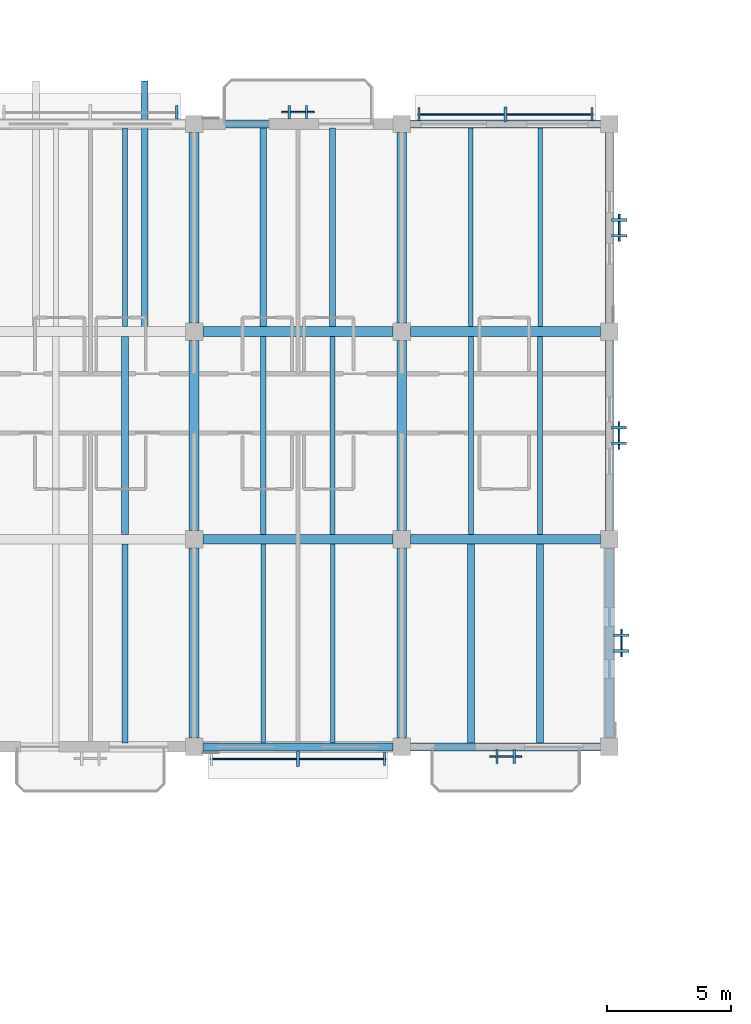
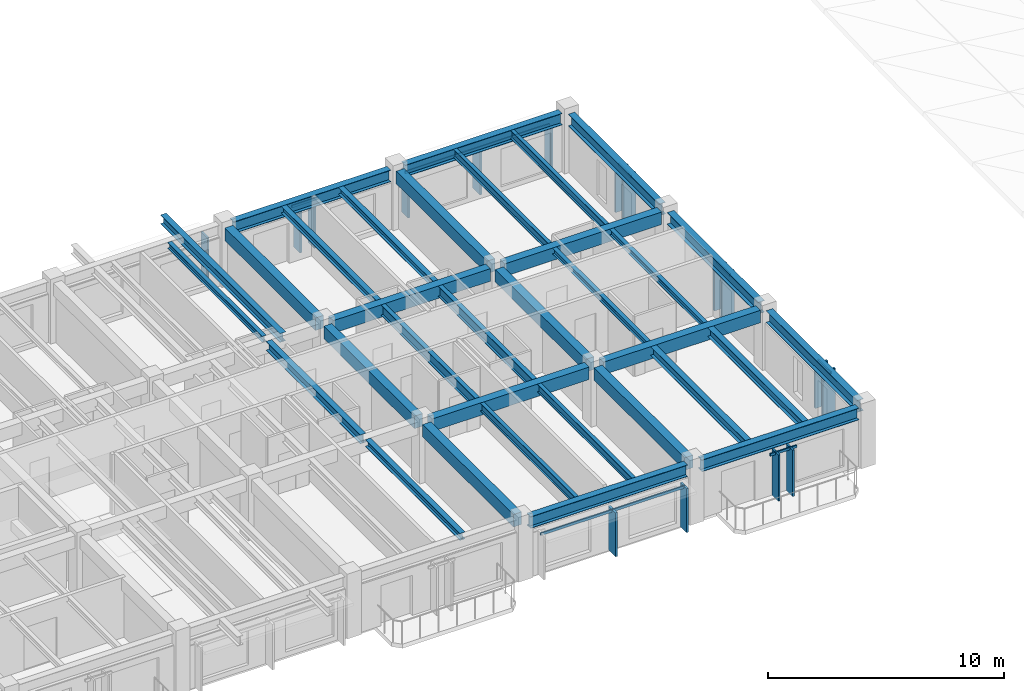
# One storey, part 15 of 64: 33 beams, 23 members, 8 elements without a shape of their own.
"""IFC4 building model written with IfcOpenShell, lengths in metres."""

from ifc_helpers import new_model, si_unit, direction, frame, origin, origin_2d, place, context, subcontext, project, spatial, rectangle, i_section, extrude, material, material_profile, profile_set, type_object, element, aggregate, save


model = new_model("IFC4")

# Units and contexts
model_context = context("Model", 3, precision=1e-05, world=origin(), true_north=direction((0.0, 1.0)))
body_context = subcontext(model_context, "Body", "Model", "MODEL_VIEW")
ifc_project = project(units=[si_unit("LENGTHUNIT", "METRE"), si_unit("AREAUNIT", "SQUARE_METRE"), si_unit("VOLUMEUNIT", "CUBIC_METRE"), si_unit("PLANEANGLEUNIT", "RADIAN"), si_unit("MASSUNIT", "GRAM", prefix="KILO")], contexts=[model_context])

# Site, building, storey
site_placement = place(None, origin())
site = spatial("IfcSite", under=ifc_project, at=site_placement, CompositionType="ELEMENT")
building_placement = place(site_placement, origin())
building = spatial("IfcBuilding", under=site, at=building_placement, Name="Cumbredor Promenade Congress Hotel", CompositionType="ELEMENT")
storey_placement = place(building_placement, frame((0.0, 0.0, 18.47998046875)))
storey = spatial("IfcBuildingStorey", under=building, at=storey_placement, Name="L05", CompositionType="ELEMENT", Elevation=18.47998046875)

# Beams
ifc_material_1 = material(Name="Concrete C40/50", Category="concrete")
ifc_material_profile_1 = material_profile(ifc_material_1, rectangle(XDim=0.39990234375, YDim=0.64990234375, at=origin_2d()), Name="RC BEAM 400x650")
ifc_profile_set_1 = profile_set([ifc_material_profile_1], Name="Concrete C40/50")
beam_type_1 = type_object("IfcBeamType", Name="BM-RC-400x650", PredefinedType="BEAM", material=ifc_profile_set_1)
for number, where, z_axis, x_axis, name in (
    (1, (67.199951171875, 92.75, 2.715087890625), (0.0, 1.0, 0.0), (-1.0, 0.0, 0.0), "L06 Y-Grid Beam 121"),
    (2, (67.550048828125, 100.800048828125, 2.715087890625), (1.0, 0.0, 0.0), (0.0, 1.0, 0.0), "L06 X-Grid Beam 122"),
):
    element("IfcBeam", number, at=place(storey_placement, frame(where, z_axis=z_axis, x_axis=x_axis)), inside=storey, type_object=beam_type_1, Name=name, PredefinedType="BEAM", context=body_context, shape_type="SweptSolid", body=[
        extrude(rectangle(XDim=0.39990234375, YDim=0.64990234375, at=origin_2d()), origin(), (0.0, 0.0, 1.0), 7.699951171875),
    ])
beam_1_placement = place(storey_placement, frame((67.199951171875, 101.14990234375, 2.715087890625), z_axis=(0.0, 1.0, 0.0), x_axis=(-1.0, 0.0, 0.0)))
element("IfcBeam", 3, at=beam_1_placement, inside=storey, type_object=beam_type_1, Name="L06 Y-Grid Beam 123", PredefinedType="BEAM", context=body_context, shape_type="SweptSolid", body=[
    extrude(rectangle(XDim=0.39990234375, YDim=0.64990234375, at=origin_2d()), origin(), (0.0, 0.0, 1.0), 7.7001953125),
])
for number, where, z_axis, x_axis, name in (
    (4, (67.550048828125, 109.199951171875, 2.715087890625), (1.0, 0.0, 0.0), (0.0, 1.0, 0.0), "L06 X-Grid Beam 124"),
    (5, (67.199951171875, 109.550048828125, 2.715087890625), (0.0, 1.0, 0.0), (-1.0, 0.0, 0.0), "L06 Y-Grid Beam 125"),
    (6, (75.60009765625, 92.75, 2.715087890625), (0.0, 1.0, 0.0), (-1.0, 0.0, 0.0), "L06 Y-Grid Beam 128"),
    (7, (75.949951171875, 100.800048828125, 2.715087890625), (1.0, 0.0, 0.0), (0.0, 1.0, 0.0), "L06 X-Grid Beam 129"),
):
    element("IfcBeam", number, at=place(storey_placement, frame(where, z_axis=z_axis, x_axis=x_axis)), inside=storey, type_object=beam_type_1, Name=name, PredefinedType="BEAM", context=body_context, shape_type="SweptSolid", body=[
        extrude(rectangle(XDim=0.39990234375, YDim=0.64990234375, at=origin_2d()), origin(), (0.0, 0.0, 1.0), 7.699951171875),
    ])
beam_2_placement = place(storey_placement, frame((75.60009765625, 101.14990234375, 2.715087890625), z_axis=(0.0, 1.0, 0.0), x_axis=(-1.0, 0.0, 0.0)))
element("IfcBeam", 8, at=beam_2_placement, inside=storey, type_object=beam_type_1, Name="L06 Y-Grid Beam 130", PredefinedType="BEAM", context=body_context, shape_type="SweptSolid", body=[
    extrude(rectangle(XDim=0.39990234375, YDim=0.64990234375, at=origin_2d()), origin(), (0.0, 0.0, 1.0), 7.7001953125),
])
for number, where, z_axis, x_axis, name in (
    (9, (75.949951171875, 109.199951171875, 2.715087890625), (1.0, 0.0, 0.0), (0.0, 1.0, 0.0), "L06 X-Grid Beam 131"),
    (10, (75.60009765625, 109.550048828125, 2.715087890625), (0.0, 1.0, 0.0), (-1.0, 0.0, 0.0), "L06 Y-Grid Beam 132"),
):
    element("IfcBeam", number, at=place(storey_placement, frame(where, z_axis=z_axis, x_axis=x_axis)), inside=storey, type_object=beam_type_1, Name=name, PredefinedType="BEAM", context=body_context, shape_type="SweptSolid", body=[
        extrude(rectangle(XDim=0.39990234375, YDim=0.64990234375, at=origin_2d()), origin(), (0.0, 0.0, 1.0), 7.699951171875),
    ])
ifc_material_2 = material(Name="Steel ASTM A992 Grade 50", Category="steel")
ifc_material_profile_2 = material_profile(ifc_material_2, i_section(OverallWidth=0.323974609375, OverallDepth=0.611083984375, WebThickness=0.0126953125, FlangeThickness=0.01904296875, at=origin_2d()), Name="W24X104")
ifc_profile_set_2 = profile_set([ifc_material_profile_2], Name="Steel ASTM A992 Grade 50")
beam_type_2 = type_object("IfcBeamType", Name="BM-W24X104", PredefinedType="BEAM", material=ifc_profile_set_2)
for number, where, z_axis, x_axis, name in (
    (11, (67.550048828125, 92.39990234375, 2.734619140625), (1.0, 0.0, 0.0), (0.0, 1.0, 0.0), "L06 X-Grid Beam 120"),
    (12, (67.550048828125, 117.60009765625, 2.734619140625), (1.0, 0.0, 0.0), (0.0, 1.0, 0.0), "L06 X-Grid Beam 126"),
    (13, (75.949951171875, 92.39990234375, 2.734619140625), (1.0, 0.0, 0.0), (0.0, 1.0, 0.0), "L06 X-Grid Beam 127"),
    (14, (75.949951171875, 117.60009765625, 2.734619140625), (1.0, 0.0, 0.0), (0.0, 1.0, 0.0), "L06 X-Grid Beam 133"),
):
    element("IfcBeam", number, at=place(storey_placement, frame(where, z_axis=z_axis, x_axis=x_axis)), inside=storey, type_object=beam_type_2, Name=name, PredefinedType="BEAM", context=body_context, shape_type="SweptSolid", body=[
        extrude(i_section(OverallWidth=0.323974609375, OverallDepth=0.611083984375, WebThickness=0.0126953125, FlangeThickness=0.01904296875, at=origin_2d()), origin(), (0.0, 0.0, 1.0), 7.699951171875),
    ])

# Curtain wall, member
ifc_material_3 = material(Name="Thermally broken anodized aluminium and low-E glass", Category="aluminium")
curtain_wall_type = type_object("IfcCurtainWallType", Name="Solar Brise-Soleil Screen Assembly CW-07", PredefinedType="NOTDEFINED", material=ifc_material_3)
curtain_wall_1_placement = place(storey_placement, origin())
curtain_wall_1 = element("IfcCurtainWall", 15, at=curtain_wall_1_placement, inside=storey, type_object=curtain_wall_type, Name="L05 Hospitality Brise-Soleil Screen 082", PredefinedType="NOTDEFINED")
ifc_material_4 = material(Name="Thermally broken anodized aluminium", Category="aluminium")
ifc_material_profile_3 = material_profile(ifc_material_4, rectangle(XDim=0.06494140625, YDim=0.1298828125, at=origin_2d()), Name="ALU TRANSOM 65x130")
ifc_profile_set_3 = profile_set([ifc_material_profile_3], Name="Thermally broken anodized aluminium")
member_type_1 = type_object("IfcMemberType", Name="Curtain Wall Transom TR-01", PredefinedType="USERDEFINED", material=ifc_profile_set_3)
member_1_placement = place(storey_placement, frame((67.85107421875, 91.9150390625, 2.234130859375), z_axis=(1.0, 0.0, 0.0), x_axis=(0.0, 1.0, 0.0)))
member_1 = element("IfcMember", 16, at=member_1_placement, type_object=member_type_1, Name="L05 Brise-Soleil Screen Transom 082", ObjectType="TRANSOM", PredefinedType="USERDEFINED", context=body_context, shape_type="SweptSolid", body=[
    extrude(rectangle(XDim=0.06494140625, YDim=0.1298828125, at=origin_2d()), origin(), (0.0, 0.0, 1.0), 7.097900390625),
])

curtain_wall_2_placement = place(storey_placement, origin())
curtain_wall_2 = element("IfcCurtainWall", 17, at=curtain_wall_2_placement, inside=storey, type_object=curtain_wall_type, Name="L05 Veranda Solar Brise-Soleil Screen 874", PredefinedType="NOTDEFINED")
member_2_placement = place(storey_placement, frame((79.14990234375, 92.010009765625, 2.333984375), z_axis=(1.0, 0.0, 0.0), x_axis=(0.0, 1.0, 0.0)))
member_2 = element("IfcMember", 18, at=member_2_placement, type_object=member_type_1, Name="L05 Brise-Soleil Header Tie 0876", ObjectType="TRANSOM", PredefinedType="USERDEFINED", context=body_context, shape_type="SweptSolid", body=[
    extrude(rectangle(XDim=0.06494140625, YDim=0.1298828125, at=origin_2d()), origin(), (0.0, 0.0, 1.0), 1.300048828125),
])

curtain_wall_3_placement = place(storey_placement, origin())
curtain_wall_3 = element("IfcCurtainWall", 19, at=curtain_wall_3_placement, inside=storey, type_object=curtain_wall_type, Name="L05 Veranda Solar Brise-Soleil Screen 898", PredefinedType="NOTDEFINED")
member_3_placement = place(storey_placement, frame((70.75, 118.0849609375, 2.333984375), z_axis=(1.0, 0.0, 0.0), x_axis=(0.0, 1.0, 0.0)))
member_3 = element("IfcMember", 20, at=member_3_placement, type_object=member_type_1, Name="L05 Brise-Soleil Header Tie 0900", ObjectType="TRANSOM", PredefinedType="USERDEFINED", context=body_context, shape_type="SweptSolid", body=[
    extrude(rectangle(XDim=0.06494140625, YDim=0.1298828125, at=origin_2d()), origin(), (0.0, 0.0, 1.0), 1.300048828125),
])

curtain_wall_4_placement = place(storey_placement, origin())
curtain_wall_4 = element("IfcCurtainWall", 21, at=curtain_wall_4_placement, inside=storey, type_object=curtain_wall_type, Name="L05 Hospitality Brise-Soleil Screen 087", PredefinedType="NOTDEFINED")
member_4_placement = place(storey_placement, frame((76.2509765625, 117.989990234375, 2.234130859375), z_axis=(1.0, 0.0, 0.0), x_axis=(0.0, 1.0, 0.0)))
member_4 = element("IfcMember", 22, at=member_4_placement, type_object=member_type_1, Name="L05 Brise-Soleil Screen Transom 087", ObjectType="TRANSOM", PredefinedType="USERDEFINED", context=body_context, shape_type="SweptSolid", body=[
    extrude(rectangle(XDim=0.06494140625, YDim=0.1298828125, at=origin_2d()), origin(), (0.0, 0.0, 1.0), 7.09814453125),
])

curtain_wall_5_placement = place(storey_placement, origin())
curtain_wall_5 = element("IfcCurtainWall", 23, at=curtain_wall_5_placement, inside=storey, type_object=curtain_wall_type, Name="L05 Pier Brise-Soleil Screen 0913", PredefinedType="NOTDEFINED")
member_5_placement = place(storey_placement, frame((84.485107421875, 96.050048828125, 2.25390625), z_axis=(0.0, 1.0, 0.0), x_axis=(-1.0, 0.0, 0.0)))
member_5 = element("IfcMember", 24, at=member_5_placement, type_object=member_type_1, Name="L05 Pier Brise-Soleil Header 0915", ObjectType="TRANSOM", PredefinedType="USERDEFINED", context=body_context, shape_type="SweptSolid", body=[
    extrude(rectangle(XDim=0.06494140625, YDim=0.1298828125, at=origin_2d()), origin(), (0.0, 0.0, 1.0), 1.099853515625),
])

curtain_wall_6_placement = place(storey_placement, origin())
curtain_wall_6 = element("IfcCurtainWall", 25, at=curtain_wall_6_placement, inside=storey, type_object=curtain_wall_type, Name="L05 Pier Brise-Soleil Screen 0916", PredefinedType="NOTDEFINED")
member_6_placement = place(storey_placement, frame((84.389892578125, 104.449951171875, 2.25390625), z_axis=(0.0, 1.0, 0.0), x_axis=(-1.0, 0.0, 0.0)))
member_6 = element("IfcMember", 26, at=member_6_placement, type_object=member_type_1, Name="L05 Pier Brise-Soleil Header 0918", ObjectType="TRANSOM", PredefinedType="USERDEFINED", context=body_context, shape_type="SweptSolid", body=[
    extrude(rectangle(XDim=0.06494140625, YDim=0.1298828125, at=origin_2d()), origin(), (0.0, 0.0, 1.0), 1.10009765625),
])

curtain_wall_7_placement = place(storey_placement, origin())
curtain_wall_7 = element("IfcCurtainWall", 27, at=curtain_wall_7_placement, inside=storey, type_object=curtain_wall_type, Name="L05 Pier Brise-Soleil Screen 0919", PredefinedType="NOTDEFINED")
member_7_placement = place(storey_placement, frame((84.39990234375, 112.85009765625, 2.25390625), z_axis=(0.0, 1.0, 0.0), x_axis=(-1.0, 0.0, 0.0)))
member_7 = element("IfcMember", 28, at=member_7_placement, type_object=member_type_1, Name="L05 Pier Brise-Soleil Header 0921", ObjectType="TRANSOM", PredefinedType="USERDEFINED", context=body_context, shape_type="SweptSolid", body=[
    extrude(rectangle(XDim=0.06494140625, YDim=0.1298828125, at=origin_2d()), origin(), (0.0, 0.0, 1.0), 1.099853515625),
])

# Beams
ifc_material_profile_4 = material_profile(ifc_material_2, i_section(OverallWidth=0.202880859375, OverallDepth=0.302978515625, WebThickness=0.007568359375, FlangeThickness=0.01318359375, at=origin_2d()), Name="W12X40")
ifc_profile_set_4 = profile_set([ifc_material_profile_4], Name="Steel ASTM A992 Grade 50")
beam_type_3 = type_object("IfcBeamType", Name="JST-W12X40", PredefinedType="JOIST", material=ifc_profile_set_4)
beam_3_placement = place(storey_placement, frame((64.39990234375, 109.39990234375, 2.968505859375), z_axis=(0.0, 1.0, 0.0), x_axis=(-1.0, 0.0, 0.0)))
element("IfcBeam", 29, at=beam_3_placement, inside=storey, type_object=beam_type_3, Name="L06 Secondary Floor Joist 0074", PredefinedType="JOIST", context=body_context, shape_type="SweptSolid", body=[
    extrude(i_section(OverallWidth=0.202880859375, OverallDepth=0.302978515625, WebThickness=0.007568359375, FlangeThickness=0.01318359375, at=origin_2d()), origin(), (0.0, 0.0, 1.0), 8.0380859375),
])
for number, where, z_axis, x_axis, name in (
    (30, (78.39990234375, 101.0, 2.888427734375), (0.0, 1.0, 0.0), (-1.0, 0.0, 0.0), "L06 Secondary Floor Joist 0083"),
    (31, (81.199951171875, 101.0, 2.888427734375), (0.0, 1.0, 0.0), (-1.0, 0.0, 0.0), "L06 Secondary Floor Joist 0084"),
):
    element("IfcBeam", number, at=place(storey_placement, frame(where, z_axis=z_axis, x_axis=x_axis)), inside=storey, type_object=beam_type_3, Name=name, PredefinedType="JOIST", context=body_context, shape_type="SweptSolid", body=[
        extrude(i_section(OverallWidth=0.202880859375, OverallDepth=0.302978515625, WebThickness=0.007568359375, FlangeThickness=0.01318359375, at=origin_2d()), origin(), (0.0, 0.0, 1.0), 8.0),
    ])
ifc_material_profile_5 = material_profile(ifc_material_2, i_section(OverallWidth=0.2548828125, OverallDepth=0.35693359375, WebThickness=0.010498046875, FlangeThickness=0.018310546875, at=origin_2d()), Name="W14X68")
ifc_profile_set_5 = profile_set([ifc_material_profile_5], Name="Steel ASTM A992 Grade 50")
beam_type_4 = type_object("IfcBeamType", Name="JST-W14X68", PredefinedType="JOIST", material=ifc_profile_set_5)
for number, where, z_axis, x_axis, name in (
    (32, (64.39990234375, 92.56201171875, 2.94140625), (0.0, 1.0, 0.0), (-1.0, 0.0, 0.0), "L06 Secondary Floor Joist 0070"),
    (33, (70.0, 109.39990234375, 2.861572265625), (0.0, 1.0, 0.0), (-1.0, 0.0, 0.0), "L06 Secondary Floor Joist 0079"),
    (34, (72.800048828125, 109.39990234375, 2.861572265625), (0.0, 1.0, 0.0), (-1.0, 0.0, 0.0), "L06 Secondary Floor Joist 0080"),
):
    element("IfcBeam", number, at=place(storey_placement, frame(where, z_axis=z_axis, x_axis=x_axis)), inside=storey, type_object=beam_type_4, Name=name, PredefinedType="JOIST", context=body_context, shape_type="SweptSolid", body=[
        extrude(i_section(OverallWidth=0.2548828125, OverallDepth=0.35693359375, WebThickness=0.010498046875, FlangeThickness=0.018310546875, at=origin_2d()), origin(), (0.0, 0.0, 1.0), 8.0380859375),
    ])
ifc_material_profile_6 = material_profile(ifc_material_2, i_section(OverallWidth=0.180908203125, OverallDepth=0.4169921875, WebThickness=0.010986328125, FlangeThickness=0.018310546875, at=origin_2d()), Name="W16X57")
ifc_profile_set_6 = profile_set([ifc_material_profile_6], Name="Steel ASTM A992 Grade 50")
beam_type_5 = type_object("IfcBeamType", Name="JST-W16X57", PredefinedType="JOIST", material=ifc_profile_set_6)
for number, where, z_axis, x_axis, name in (
    (35, (70.0, 92.56201171875, 2.83154296875), (0.0, 1.0, 0.0), (-1.0, 0.0, 0.0), "L06 Secondary Floor Joist 0075"),
    (36, (72.800048828125, 92.56201171875, 2.83154296875), (0.0, 1.0, 0.0), (-1.0, 0.0, 0.0), "L06 Secondary Floor Joist 0076"),
    (37, (78.39990234375, 109.39990234375, 2.83154296875), (0.0, 1.0, 0.0), (-1.0, 0.0, 0.0), "L06 Secondary Floor Joist 0085"),
    (38, (81.199951171875, 109.39990234375, 2.83154296875), (0.0, 1.0, 0.0), (-1.0, 0.0, 0.0), "L06 Secondary Floor Joist 0086"),
):
    element("IfcBeam", number, at=place(storey_placement, frame(where, z_axis=z_axis, x_axis=x_axis)), inside=storey, type_object=beam_type_5, Name=name, PredefinedType="JOIST", context=body_context, shape_type="SweptSolid", body=[
        extrude(i_section(OverallWidth=0.180908203125, OverallDepth=0.4169921875, WebThickness=0.010986328125, FlangeThickness=0.018310546875, at=origin_2d()), origin(), (0.0, 0.0, 1.0), 8.0380859375),
    ])
ifc_material_profile_7 = material_profile(ifc_material_2, i_section(OverallWidth=0.280029296875, OverallDepth=0.462890625, WebThickness=0.0107421875, FlangeThickness=0.017333984375, at=origin_2d()), Name="W18X76")
ifc_profile_set_7 = profile_set([ifc_material_profile_7], Name="Steel ASTM A992 Grade 50")
beam_type_6 = type_object("IfcBeamType", Name="JST-W18X76", PredefinedType="JOIST", material=ifc_profile_set_7)
beam_4_placement = place(storey_placement, frame((65.199951171875, 109.199951171875, 2.888427734375), z_axis=(0.0, 1.0, 0.0), x_axis=(-1.0, 0.0, 0.0)))
element("IfcBeam", 39, at=beam_4_placement, inside=storey, type_object=beam_type_6, Name="L06 Balcony Back-Spanned Outrigger Beam 037.2", PredefinedType="JOIST", context=body_context, shape_type="SweptSolid", body=[
    extrude(i_section(OverallWidth=0.280029296875, OverallDepth=0.462890625, WebThickness=0.0107421875, FlangeThickness=0.017333984375, at=origin_2d()), origin(), (0.0, 0.0, 1.0), 10.150146484375),
])
beam_5_placement = place(storey_placement, frame((64.39990234375, 101.0, 2.888427734375), z_axis=(0.0, 1.0, 0.0), x_axis=(-1.0, 0.0, 0.0)))
element("IfcBeam", 40, at=beam_5_placement, inside=storey, type_object=beam_type_6, Name="L06 Secondary Floor Joist 0072", PredefinedType="JOIST", context=body_context, shape_type="SweptSolid", body=[
    extrude(i_section(OverallWidth=0.280029296875, OverallDepth=0.462890625, WebThickness=0.0107421875, FlangeThickness=0.017333984375, at=origin_2d()), origin(), (0.0, 0.0, 1.0), 8.0),
])
for number, where, z_axis, x_axis, name in (
    (41, (78.39990234375, 92.56201171875, 2.80859375), (0.0, 1.0, 0.0), (-1.0, 0.0, 0.0), "L06 Secondary Floor Joist 0081"),
    (42, (81.199951171875, 92.56201171875, 2.80859375), (0.0, 1.0, 0.0), (-1.0, 0.0, 0.0), "L06 Secondary Floor Joist 0082"),
):
    element("IfcBeam", number, at=place(storey_placement, frame(where, z_axis=z_axis, x_axis=x_axis)), inside=storey, type_object=beam_type_6, Name=name, PredefinedType="JOIST", context=body_context, shape_type="SweptSolid", body=[
        extrude(i_section(OverallWidth=0.280029296875, OverallDepth=0.462890625, WebThickness=0.0107421875, FlangeThickness=0.017333984375, at=origin_2d()), origin(), (0.0, 0.0, 1.0), 8.0380859375),
    ])
ifc_material_profile_8 = material_profile(ifc_material_2, i_section(OverallWidth=0.214111328125, OverallDepth=0.549072265625, WebThickness=0.0146484375, FlangeThickness=0.023681640625, at=origin_2d()), Name="W21X93")
ifc_profile_set_8 = profile_set([ifc_material_profile_8], Name="Steel ASTM A992 Grade 50")
beam_type_7 = type_object("IfcBeamType", Name="JST-W21X93", PredefinedType="JOIST", material=ifc_profile_set_8)
for number, where, z_axis, x_axis, name in (
    (43, (70.0, 101.0, 2.765625), (0.0, 1.0, 0.0), (-1.0, 0.0, 0.0), "L06 Secondary Floor Joist 0077"),
    (44, (72.800048828125, 101.0, 2.765625), (0.0, 1.0, 0.0), (-1.0, 0.0, 0.0), "L06 Secondary Floor Joist 0078"),
):
    element("IfcBeam", number, at=place(storey_placement, frame(where, z_axis=z_axis, x_axis=x_axis)), inside=storey, type_object=beam_type_7, Name=name, PredefinedType="JOIST", context=body_context, shape_type="SweptSolid", body=[
        extrude(i_section(OverallWidth=0.214111328125, OverallDepth=0.549072265625, WebThickness=0.0146484375, FlangeThickness=0.023681640625, at=origin_2d()), origin(), (0.0, 0.0, 1.0), 8.0),
    ])
ifc_material_profile_9 = material_profile(ifc_material_2, i_section(OverallWidth=0.323974609375, OverallDepth=0.611083984375, WebThickness=0.0126953125, FlangeThickness=0.01904296875, at=origin_2d()), Name="W24X104")
ifc_profile_set_9 = profile_set([ifc_material_profile_9], Name="Steel ASTM A992 Grade 50")
beam_type_8 = type_object("IfcBeamType", Name="SP-W24X104", PredefinedType="SPANDREL", material=ifc_profile_set_9)
beam_6_placement = place(storey_placement, frame((84.0, 92.75, 2.734619140625), z_axis=(0.0, 1.0, 0.0), x_axis=(-1.0, 0.0, 0.0)))
element("IfcBeam", 45, at=beam_6_placement, inside=storey, type_object=beam_type_8, Name="L06 Y-Grid Beam 134", PredefinedType="SPANDREL", context=body_context, shape_type="SweptSolid", body=[
    extrude(i_section(OverallWidth=0.323974609375, OverallDepth=0.611083984375, WebThickness=0.0126953125, FlangeThickness=0.01904296875, at=origin_2d()), origin(), (0.0, 0.0, 1.0), 7.699951171875),
])
beam_7_placement = place(storey_placement, frame((84.0, 101.14990234375, 2.734619140625), z_axis=(0.0, 1.0, 0.0), x_axis=(-1.0, 0.0, 0.0)))
element("IfcBeam", 46, at=beam_7_placement, inside=storey, type_object=beam_type_8, Name="L06 Y-Grid Beam 135", PredefinedType="SPANDREL", context=body_context, shape_type="SweptSolid", body=[
    extrude(i_section(OverallWidth=0.323974609375, OverallDepth=0.611083984375, WebThickness=0.0126953125, FlangeThickness=0.01904296875, at=origin_2d()), origin(), (0.0, 0.0, 1.0), 7.7001953125),
])
beam_8_placement = place(storey_placement, frame((84.0, 109.550048828125, 2.734619140625), z_axis=(0.0, 1.0, 0.0), x_axis=(-1.0, 0.0, 0.0)))
element("IfcBeam", 47, at=beam_8_placement, inside=storey, type_object=beam_type_8, Name="L06 Y-Grid Beam 136", PredefinedType="SPANDREL", context=body_context, shape_type="SweptSolid", body=[
    extrude(i_section(OverallWidth=0.323974609375, OverallDepth=0.611083984375, WebThickness=0.0126953125, FlangeThickness=0.01904296875, at=origin_2d()), origin(), (0.0, 0.0, 1.0), 7.699951171875),
])

# Member
ifc_material_profile_10 = material_profile(ifc_material_4, rectangle(XDim=0.110107421875, YDim=0.6201171875, at=origin_2d()), Name="ARCH FIN 110x620")
ifc_profile_set_10 = profile_set([ifc_material_profile_10], Name="Thermally broken anodized aluminium")
member_type_2 = type_object("IfcMemberType", Name="Vertical Bronze Brise-Soleil Fin BSF-02 110x620", PredefinedType="USERDEFINED", material=ifc_profile_set_10)
member_8_placement = place(storey_placement, frame((71.39990234375, 91.9150390625, 0.02001953125), z_axis=(0.0, 0.0, 1.0), x_axis=(1.0, 0.0, 0.0)))
member_8 = element("IfcMember", 48, at=member_8_placement, type_object=member_type_2, Name="L05 Vertical Brise-Soleil Fin 0872", ObjectType="SOLAR FIN", PredefinedType="USERDEFINED", context=body_context, shape_type="SweptSolid", body=[
    extrude(rectangle(XDim=0.110107421875, YDim=0.6201171875, at=origin_2d()), origin(), (0.0, 0.0, 1.0), 2.27392578125),
])

member_9_placement = place(storey_placement, frame((79.800048828125, 117.989990234375, 0.02001953125), z_axis=(0.0, 0.0, 1.0), x_axis=(1.0, 0.0, 0.0)))
member_9 = element("IfcMember", 49, at=member_9_placement, type_object=member_type_2, Name="L05 Vertical Brise-Soleil Fin 0902", ObjectType="SOLAR FIN", PredefinedType="USERDEFINED", context=body_context, shape_type="SweptSolid", body=[
    extrude(rectangle(XDim=0.110107421875, YDim=0.6201171875, at=origin_2d()), origin(), (0.0, 0.0, 1.0), 2.27392578125),
])

member_10_placement = place(storey_placement, frame((84.485107421875, 96.280029296875, 0.02001953125), z_axis=(0.0, 0.0, 1.0), x_axis=(0.0, 1.0, 0.0)))
member_10 = element("IfcMember", 50, at=member_10_placement, type_object=member_type_2, Name="L05 Pier Brise-Soleil Fin 0914", ObjectType="SOLAR FIN", PredefinedType="USERDEFINED", context=body_context, shape_type="SweptSolid", body=[
    extrude(rectangle(XDim=0.110107421875, YDim=0.6201171875, at=origin_2d()), origin(), (0.0, 0.0, 1.0), 2.27392578125),
])

member_11_placement = place(storey_placement, frame((84.485107421875, 96.919921875, 0.02001953125), z_axis=(0.0, 0.0, 1.0), x_axis=(0.0, 1.0, 0.0)))
member_11 = element("IfcMember", 51, at=member_11_placement, type_object=member_type_2, Name="L05 Pier Brise-Soleil Fin 0915", ObjectType="SOLAR FIN", PredefinedType="USERDEFINED", context=body_context, shape_type="SweptSolid", body=[
    extrude(rectangle(XDim=0.110107421875, YDim=0.6201171875, at=origin_2d()), origin(), (0.0, 0.0, 1.0), 2.27392578125),
])

aggregate(curtain_wall_5, [member_10, member_11, member_5])

member_12_placement = place(storey_placement, frame((84.389892578125, 104.679931640625, 0.02001953125), z_axis=(0.0, 0.0, 1.0), x_axis=(0.0, 1.0, 0.0)))
member_12 = element("IfcMember", 52, at=member_12_placement, type_object=member_type_2, Name="L05 Pier Brise-Soleil Fin 0917", ObjectType="SOLAR FIN", PredefinedType="USERDEFINED", context=body_context, shape_type="SweptSolid", body=[
    extrude(rectangle(XDim=0.110107421875, YDim=0.6201171875, at=origin_2d()), origin(), (0.0, 0.0, 1.0), 2.27392578125),
])

member_13_placement = place(storey_placement, frame((84.389892578125, 105.320068359375, 0.02001953125), z_axis=(0.0, 0.0, 1.0), x_axis=(0.0, 1.0, 0.0)))
member_13 = element("IfcMember", 53, at=member_13_placement, type_object=member_type_2, Name="L05 Pier Brise-Soleil Fin 0918", ObjectType="SOLAR FIN", PredefinedType="USERDEFINED", context=body_context, shape_type="SweptSolid", body=[
    extrude(rectangle(XDim=0.110107421875, YDim=0.6201171875, at=origin_2d()), origin(), (0.0, 0.0, 1.0), 2.27392578125),
])

aggregate(curtain_wall_6, [member_12, member_13, member_6])

member_14_placement = place(storey_placement, frame((84.39990234375, 113.080078125, 0.02001953125), z_axis=(0.0, 0.0, 1.0), x_axis=(0.0, 1.0, 0.0)))
member_14 = element("IfcMember", 54, at=member_14_placement, type_object=member_type_2, Name="L05 Pier Brise-Soleil Fin 0920", ObjectType="SOLAR FIN", PredefinedType="USERDEFINED", context=body_context, shape_type="SweptSolid", body=[
    extrude(rectangle(XDim=0.110107421875, YDim=0.6201171875, at=origin_2d()), origin(), (0.0, 0.0, 1.0), 2.27392578125),
])

member_15_placement = place(storey_placement, frame((84.39990234375, 113.719970703125, 0.02001953125), z_axis=(0.0, 0.0, 1.0), x_axis=(0.0, 1.0, 0.0)))
member_15 = element("IfcMember", 55, at=member_15_placement, type_object=member_type_2, Name="L05 Pier Brise-Soleil Fin 0921", ObjectType="SOLAR FIN", PredefinedType="USERDEFINED", context=body_context, shape_type="SweptSolid", body=[
    extrude(rectangle(XDim=0.110107421875, YDim=0.6201171875, at=origin_2d()), origin(), (0.0, 0.0, 1.0), 2.27392578125),
])

aggregate(curtain_wall_7, [member_14, member_15, member_7])

ifc_material_5 = material(Name="Kiln-dried tropical hardwood", Category="wood")
ifc_material_profile_11 = material_profile(ifc_material_5, rectangle(XDim=0.090087890625, YDim=0.550048828125, at=origin_2d()), Name="ARCH FIN 90x550")
ifc_profile_set_11 = profile_set([ifc_material_profile_11], Name="Kiln-dried tropical hardwood")
member_type_3 = type_object("IfcMemberType", Name="Vertical Hardwood Brise-Soleil Fin BSF-01 90x550", PredefinedType="USERDEFINED", material=ifc_profile_set_11)
member_16_placement = place(storey_placement, frame((74.89892578125, 91.9150390625, 0.02001953125), z_axis=(0.0, 0.0, 1.0), x_axis=(1.0, 0.0, 0.0)))
member_16 = element("IfcMember", 56, at=member_16_placement, type_object=member_type_3, Name="L05 Vertical Brise-Soleil Fin 0873", ObjectType="SOLAR FIN", PredefinedType="USERDEFINED", context=body_context, shape_type="SweptSolid", body=[
    extrude(rectangle(XDim=0.090087890625, YDim=0.550048828125, at=origin_2d()), origin(), (0.0, 0.0, 1.0), 2.27392578125),
])

aggregate(curtain_wall_1, [member_1, member_8, member_16])

member_17_placement = place(storey_placement, frame((79.449951171875, 92.010009765625, -0.010009765625), z_axis=(0.0, 0.0, 1.0), x_axis=(1.0, 0.0, 0.0)))
member_17 = element("IfcMember", 57, at=member_17_placement, type_object=member_type_3, Name="L05 Vertical Hardwood Brise-Soleil Fin 0875", ObjectType="SOLAR FIN", PredefinedType="USERDEFINED", context=body_context, shape_type="SweptSolid", body=[
    extrude(rectangle(XDim=0.090087890625, YDim=0.550048828125, at=origin_2d()), origin(), (0.0, 0.0, 1.0), 2.404052734375),
])

member_18_placement = place(storey_placement, frame((80.14990234375, 92.010009765625, -0.010009765625), z_axis=(0.0, 0.0, 1.0), x_axis=(1.0, 0.0, 0.0)))
member_18 = element("IfcMember", 58, at=member_18_placement, type_object=member_type_3, Name="L05 Vertical Hardwood Brise-Soleil Fin 0876", ObjectType="SOLAR FIN", PredefinedType="USERDEFINED", context=body_context, shape_type="SweptSolid", body=[
    extrude(rectangle(XDim=0.090087890625, YDim=0.550048828125, at=origin_2d()), origin(), (0.0, 0.0, 1.0), 2.404052734375),
])

aggregate(curtain_wall_2, [member_17, member_18, member_2])

# Curtain wall, member
curtain_wall_8_placement = place(storey_placement, origin())
curtain_wall_8 = element("IfcCurtainWall", 59, at=curtain_wall_8_placement, inside=storey, type_object=curtain_wall_type, Name="L05 Hospitality Brise-Soleil Screen 086", PredefinedType="NOTDEFINED")
member_19_placement = place(storey_placement, frame((66.4990234375, 118.072509765625, 0.02001953125), z_axis=(0.0, 0.0, 1.0), x_axis=(1.0, 0.0, 0.0)))
member_19 = element("IfcMember", 60, at=member_19_placement, type_object=member_type_3, Name="L05 Vertical Brise-Soleil Fin 0897", ObjectType="SOLAR FIN", PredefinedType="USERDEFINED", context=body_context, shape_type="SweptSolid", body=[
    extrude(rectangle(XDim=0.090087890625, YDim=0.550048828125, at=origin_2d()), origin(), (0.0, 0.0, 1.0), 2.35400390625),
])
aggregate(curtain_wall_8, [member_19])

# Member
member_20_placement = place(storey_placement, frame((71.050048828125, 118.0849609375, -0.010009765625), z_axis=(0.0, 0.0, 1.0), x_axis=(1.0, 0.0, 0.0)))
member_20 = element("IfcMember", 61, at=member_20_placement, type_object=member_type_3, Name="L05 Vertical Hardwood Brise-Soleil Fin 0899", ObjectType="SOLAR FIN", PredefinedType="USERDEFINED", context=body_context, shape_type="SweptSolid", body=[
    extrude(rectangle(XDim=0.090087890625, YDim=0.550048828125, at=origin_2d()), origin(), (0.0, 0.0, 1.0), 2.404052734375),
])

member_21_placement = place(storey_placement, frame((71.75, 118.0849609375, -0.010009765625), z_axis=(0.0, 0.0, 1.0), x_axis=(1.0, 0.0, 0.0)))
member_21 = element("IfcMember", 62, at=member_21_placement, type_object=member_type_3, Name="L05 Vertical Hardwood Brise-Soleil Fin 0900", ObjectType="SOLAR FIN", PredefinedType="USERDEFINED", context=body_context, shape_type="SweptSolid", body=[
    extrude(rectangle(XDim=0.090087890625, YDim=0.550048828125, at=origin_2d()), origin(), (0.0, 0.0, 1.0), 2.404052734375),
])

aggregate(curtain_wall_3, [member_20, member_21, member_3])

member_22_placement = place(storey_placement, frame((76.301025390625, 117.989990234375, 0.02001953125), z_axis=(0.0, 0.0, 1.0), x_axis=(1.0, 0.0, 0.0)))
member_22 = element("IfcMember", 63, at=member_22_placement, type_object=member_type_3, Name="L05 Vertical Brise-Soleil Fin 0901", ObjectType="SOLAR FIN", PredefinedType="USERDEFINED", context=body_context, shape_type="SweptSolid", body=[
    extrude(rectangle(XDim=0.090087890625, YDim=0.550048828125, at=origin_2d()), origin(), (0.0, 0.0, 1.0), 2.27392578125),
])

member_23_placement = place(storey_placement, frame((83.299072265625, 117.989990234375, 0.02001953125), z_axis=(0.0, 0.0, 1.0), x_axis=(1.0, 0.0, 0.0)))
member_23 = element("IfcMember", 64, at=member_23_placement, type_object=member_type_3, Name="L05 Vertical Brise-Soleil Fin 0903", ObjectType="SOLAR FIN", PredefinedType="USERDEFINED", context=body_context, shape_type="SweptSolid", body=[
    extrude(rectangle(XDim=0.090087890625, YDim=0.550048828125, at=origin_2d()), origin(), (0.0, 0.0, 1.0), 2.27392578125),
])

aggregate(curtain_wall_4, [member_4, member_22, member_9, member_23])

save(model, "model.ifc")
